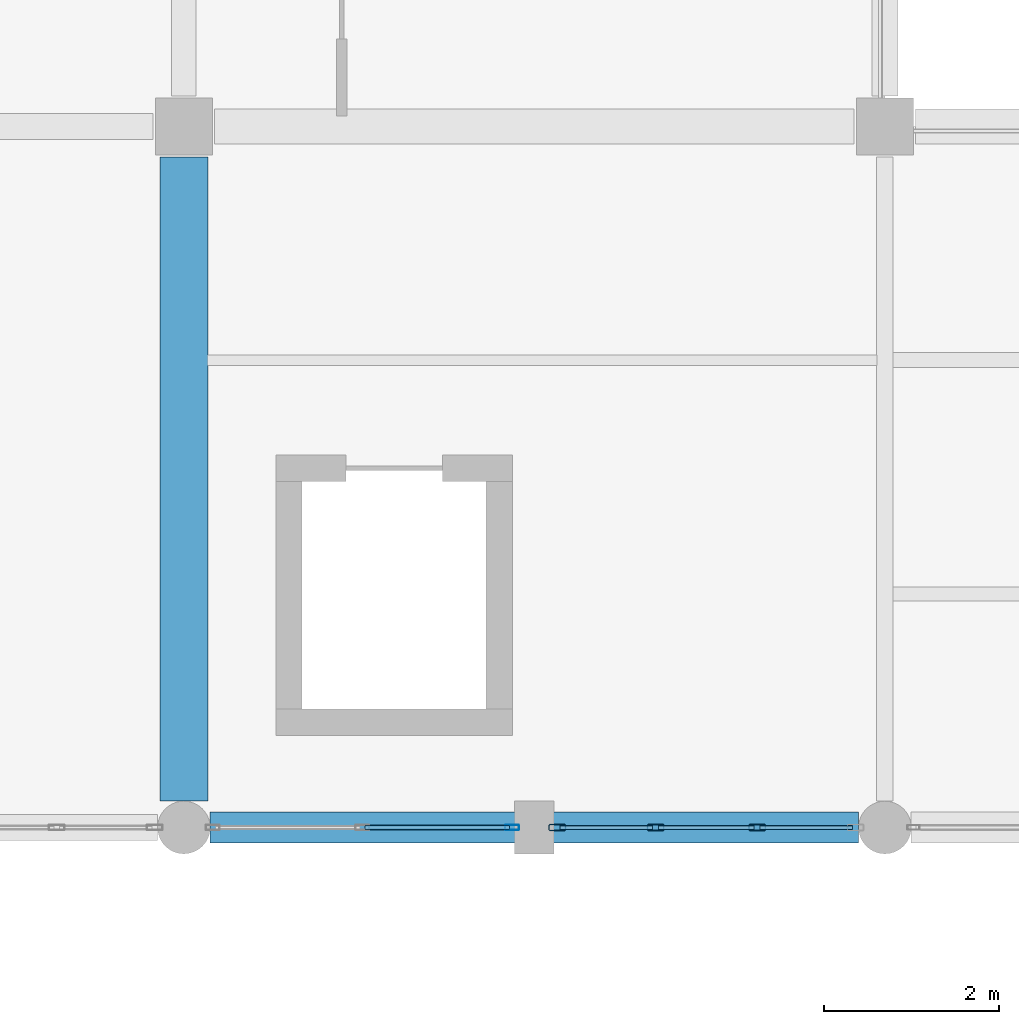
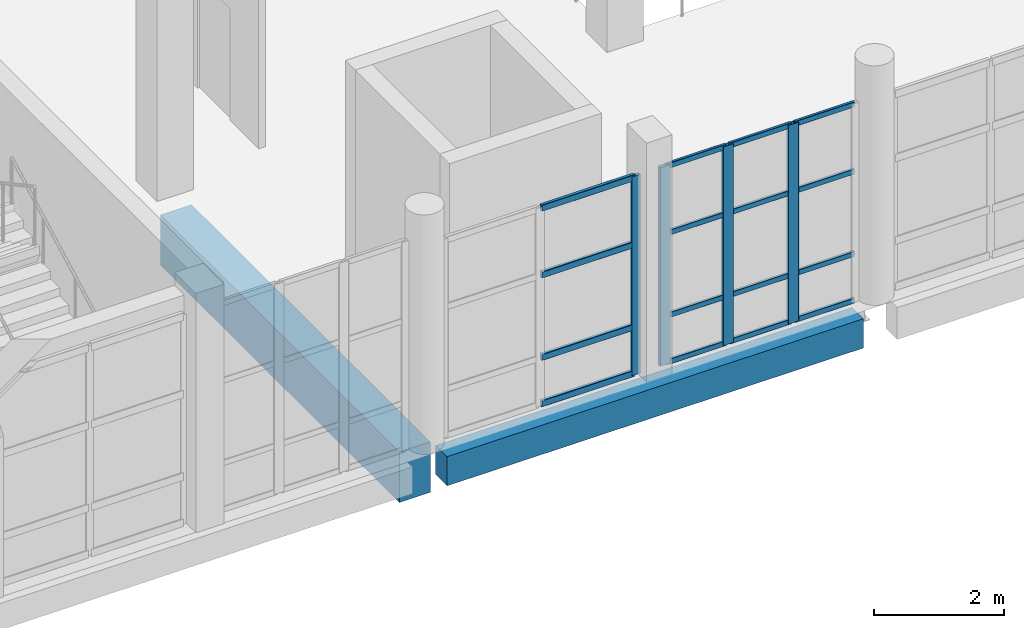
# One storey, part 13 of 183: 20 members, 2 beams, 2 elements without a shape of their own.
"""IFC4 building model written with IfcOpenShell, lengths in metres."""

from ifc_helpers import new_model, si_unit, direction, frame, origin, origin_2d, place, context, subcontext, project, spatial, rectangle, hollow_rectangle, extrude, material, material_profile, profile_set, type_object, element, aggregate, save


model = new_model("IFC4")

# Units and contexts
model_context = context("Model", 3, precision=1e-05, world=origin(), true_north=direction((0.0, 1.0)))
body_context = subcontext(model_context, "Body", "Model", "MODEL_VIEW")
ifc_project = project(units=[si_unit("LENGTHUNIT", "METRE"), si_unit("AREAUNIT", "SQUARE_METRE"), si_unit("VOLUMEUNIT", "CUBIC_METRE"), si_unit("PLANEANGLEUNIT", "RADIAN"), si_unit("MASSUNIT", "GRAM", prefix="KILO")], contexts=[model_context])

# Site, building, storey
site_placement = place(None, origin())
site = spatial("IfcSite", under=ifc_project, at=site_placement, CompositionType="ELEMENT")
building_placement = place(site_placement, origin())
building = spatial("IfcBuilding", under=site, at=building_placement, Name="Luwemba Playhouse", CompositionType="ELEMENT")
storey_placement = place(building_placement, frame((0.0, 0.0, 4.800048828125)))
storey = spatial("IfcBuildingStorey", under=building, at=storey_placement, Name="L01", CompositionType="ELEMENT", Elevation=4.800048828125)

# Beams
ifc_material_1 = material(Name="Concrete C40/50", Category="concrete")
ifc_material_profile_1 = material_profile(ifc_material_1, rectangle(XDim=0.550048828125, YDim=0.949951171875, at=origin_2d()))
ifc_profile_set_1 = profile_set([ifc_material_profile_1], Name="Concrete C40/50")
beam_type_1 = type_object("IfcBeamType", Name="BM-RB08", PredefinedType="BEAM", material=ifc_profile_set_1)
beam_1_placement = place(storey_placement, frame((12.0, 3.300048828125, -0.72509765625), z_axis=(0.0, 1.0, 0.0), x_axis=(-1.0, 0.0, 0.0)))
element("IfcBeam", 1, at=beam_1_placement, inside=storey, type_object=beam_type_1, Name="L01 transverse girder 0499", PredefinedType="BEAM", context=body_context, shape_type="SweptSolid", body=[
    extrude(rectangle(XDim=0.550048828125, YDim=0.949951171875, at=origin_2d()), origin(), (0.0, 0.0, 1.0), 7.349853515625),
])
ifc_material_profile_2 = material_profile(ifc_material_1, rectangle(XDim=0.35009765625, YDim=0.550048828125, at=origin_2d()))
ifc_profile_set_2 = profile_set([ifc_material_profile_2], Name="Concrete C40/50")
beam_type_2 = type_object("IfcBeamType", Name="BM-SP2", PredefinedType="SPANDREL", material=ifc_profile_set_2)
beam_2_placement = place(storey_placement, frame((12.300048828125, 3.0, -0.525146484375), z_axis=(1.0, 0.0, 0.0), x_axis=(0.0, 1.0, 0.0)))
element("IfcBeam", 2, at=beam_2_placement, inside=storey, type_object=beam_type_2, Name="L01 grid girder 0469", PredefinedType="SPANDREL", context=body_context, shape_type="SweptSolid", body=[
    extrude(rectangle(XDim=0.35009765625, YDim=0.550048828125, at=origin_2d()), origin(), (0.0, 0.0, 1.0), 7.39990234375),
])

# Curtain wall, member
ifc_material_2 = material(Name="Solar-control double glazing", Category="glass")
curtain_wall_type_1 = type_object("IfcCurtainWallType", Name="CW-CW95", PredefinedType="USERDEFINED", material=ifc_material_2)
curtain_wall_1_placement = place(storey_placement, origin())
curtain_wall_1 = element("IfcCurtainWall", 3, at=curtain_wall_1_placement, inside=storey, type_object=curtain_wall_type_1, Name="L01 V5W unitised curtain wall 150", ObjectType="UNITISED GLAZING", PredefinedType="USERDEFINED")
ifc_material_3 = material(Name="Aluminium 6063-T6", Category="aluminium")
ifc_material_profile_3 = material_profile(ifc_material_3, hollow_rectangle(XDim=0.06005859375, YDim=0.159912109375, WallThickness=0.00390625, InnerFilletRadius=0.006103515625, OuterFilletRadius=0.010009765625, at=origin_2d()))
ifc_profile_set_3 = profile_set([ifc_material_profile_3], Name="Aluminium 6063-T6")
member_type_1 = type_object("IfcMemberType", Name="CWM-M1", PredefinedType="MULLION", material=ifc_profile_set_3)
member_1_placement = place(storey_placement, frame((15.7451171875, 3.0, 0.0), z_axis=(0.0, 0.0, 1.0), x_axis=(0.0, -1.0, 0.0)))
member_1 = element("IfcMember", 4, at=member_1_placement, type_object=member_type_1, Name="CW95 mullion 1", PredefinedType="MULLION", context=body_context, shape_type="SweptSolid", body=[
    extrude(hollow_rectangle(XDim=0.06005859375, YDim=0.159912109375, WallThickness=0.00390625, InnerFilletRadius=0.006103515625, OuterFilletRadius=0.010009765625, at=origin_2d()), origin(), (0.0, 0.0, 1.0), 3.73486328125),
])

# Curtain wall, members
curtain_wall_type_2 = type_object("IfcCurtainWallType", Name="CW-CW113", PredefinedType="USERDEFINED", material=ifc_material_2)
curtain_wall_2_placement = place(storey_placement, origin())
curtain_wall_2 = element("IfcCurtainWall", 5, at=curtain_wall_2_placement, inside=storey, type_object=curtain_wall_type_2, Name="L01 V5W unitised curtain wall 149", ObjectType="UNITISED GLAZING", PredefinedType="USERDEFINED")
ifc_material_profile_4 = material_profile(ifc_material_3, hollow_rectangle(XDim=0.070068359375, YDim=0.18994140625, WallThickness=0.0048828125, InnerFilletRadius=0.007568359375, OuterFilletRadius=0.012451171875, at=origin_2d()))
ifc_profile_set_4 = profile_set([ifc_material_profile_4], Name="Aluminium 6063-T6")
member_type_2 = type_object("IfcMemberType", Name="CWM-M4", PredefinedType="MULLION", material=ifc_profile_set_4)
member_2_placement = place(storey_placement, frame((18.541748046875, 3.0, 0.0), z_axis=(0.0, 0.0, 1.0), x_axis=(0.0, -1.0, 0.0)))
member_2 = element("IfcMember", 6, at=member_2_placement, type_object=member_type_2, Name="CW113 mullion 2", PredefinedType="MULLION", context=body_context, shape_type="SweptSolid", body=[
    extrude(hollow_rectangle(XDim=0.070068359375, YDim=0.18994140625, WallThickness=0.0048828125, InnerFilletRadius=0.007568359375, OuterFilletRadius=0.012451171875, at=origin_2d()), origin(), (0.0, 0.0, 1.0), 3.73486328125),
])
member_3_placement = place(storey_placement, frame((17.38330078125, 3.0, 0.0), z_axis=(0.0, 0.0, 1.0), x_axis=(0.0, -1.0, 0.0)))
member_3 = element("IfcMember", 7, at=member_3_placement, type_object=member_type_2, Name="CW113 mullion 3", PredefinedType="MULLION", context=body_context, shape_type="SweptSolid", body=[
    extrude(hollow_rectangle(XDim=0.070068359375, YDim=0.18994140625, WallThickness=0.0048828125, InnerFilletRadius=0.007568359375, OuterFilletRadius=0.012451171875, at=origin_2d()), origin(), (0.0, 0.0, 1.0), 3.73486328125),
])
member_4_placement = place(storey_placement, frame((16.260009765625, 3.0, 0.0), z_axis=(0.0, 0.0, 1.0), x_axis=(0.0, -1.0, 0.0)))
member_4 = element("IfcMember", 8, at=member_4_placement, type_object=member_type_2, Name="CW113 mullion 4", PredefinedType="MULLION", context=body_context, shape_type="SweptSolid", body=[
    extrude(hollow_rectangle(XDim=0.070068359375, YDim=0.18994140625, WallThickness=0.0048828125, InnerFilletRadius=0.007568359375, OuterFilletRadius=0.012451171875, at=origin_2d()), origin(), (0.0, 0.0, 1.0), 3.73486328125),
])

# Member
ifc_material_profile_5 = material_profile(ifc_material_3, hollow_rectangle(XDim=0.06005859375, YDim=0.1201171875, WallThickness=0.00390625, InnerFilletRadius=0.006103515625, OuterFilletRadius=0.010009765625, at=origin_2d()))
ifc_profile_set_5 = profile_set([ifc_material_profile_5], Name="Aluminium 6063-T6")
member_type_3 = type_object("IfcMemberType", Name="CWT-T1", PredefinedType="USERDEFINED", material=ifc_profile_set_5)
member_5_placement = place(storey_placement, frame((15.715087890625, 3.0, 0.030029296875), z_axis=(-1.0, 0.0, 0.0), x_axis=(0.0, -1.0, 0.0)))
member_5 = element("IfcMember", 9, at=member_5_placement, type_object=member_type_3, Name="CW95 transom 1.1", ObjectType="TRANSOM", PredefinedType="USERDEFINED", context=body_context, shape_type="SweptSolid", body=[
    extrude(hollow_rectangle(XDim=0.06005859375, YDim=0.1201171875, WallThickness=0.00390625, InnerFilletRadius=0.006103515625, OuterFilletRadius=0.010009765625, at=origin_2d()), origin(), (0.0, 0.0, 1.0), 1.647705078125),
])

member_6_placement = place(storey_placement, frame((15.715087890625, 3.0, 0.89990234375), z_axis=(-1.0, 0.0, 0.0), x_axis=(0.0, -1.0, 0.0)))
member_6 = element("IfcMember", 10, at=member_6_placement, type_object=member_type_3, Name="CW95 transom 1.2", ObjectType="TRANSOM", PredefinedType="USERDEFINED", context=body_context, shape_type="SweptSolid", body=[
    extrude(hollow_rectangle(XDim=0.06005859375, YDim=0.1201171875, WallThickness=0.00390625, InnerFilletRadius=0.006103515625, OuterFilletRadius=0.010009765625, at=origin_2d()), origin(), (0.0, 0.0, 1.0), 1.647705078125),
])

member_7_placement = place(storey_placement, frame((15.715087890625, 3.0, 2.449951171875), z_axis=(-1.0, 0.0, 0.0), x_axis=(0.0, -1.0, 0.0)))
member_7 = element("IfcMember", 11, at=member_7_placement, type_object=member_type_3, Name="CW95 transom 1.3", ObjectType="TRANSOM", PredefinedType="USERDEFINED", context=body_context, shape_type="SweptSolid", body=[
    extrude(hollow_rectangle(XDim=0.06005859375, YDim=0.1201171875, WallThickness=0.00390625, InnerFilletRadius=0.006103515625, OuterFilletRadius=0.010009765625, at=origin_2d()), origin(), (0.0, 0.0, 1.0), 1.647705078125),
])

member_8_placement = place(storey_placement, frame((15.715087890625, 3.0, 3.704833984375), z_axis=(-1.0, 0.0, 0.0), x_axis=(0.0, -1.0, 0.0)))
member_8 = element("IfcMember", 12, at=member_8_placement, type_object=member_type_3, Name="CW95 transom 1.4", ObjectType="TRANSOM", PredefinedType="USERDEFINED", context=body_context, shape_type="SweptSolid", body=[
    extrude(hollow_rectangle(XDim=0.06005859375, YDim=0.1201171875, WallThickness=0.00390625, InnerFilletRadius=0.006103515625, OuterFilletRadius=0.010009765625, at=origin_2d()), origin(), (0.0, 0.0, 1.0), 1.647705078125),
])

aggregate(curtain_wall_1, [member_1, member_5, member_6, member_7, member_8])

ifc_material_profile_6 = material_profile(ifc_material_3, hollow_rectangle(XDim=0.050048828125, YDim=0.10009765625, WallThickness=0.00341796875, InnerFilletRadius=0.00537109375, OuterFilletRadius=0.0087890625, at=origin_2d()))
ifc_profile_set_6 = profile_set([ifc_material_profile_6], Name="Aluminium 6063-T6")
member_type_4 = type_object("IfcMemberType", Name="CWT-T4", PredefinedType="USERDEFINED", material=ifc_profile_set_6)
member_9_placement = place(storey_placement, frame((19.6298828125, 3.0, 0.02490234375), z_axis=(-1.0, 0.0, 0.0), x_axis=(0.0, -1.0, 0.0)))
member_9 = element("IfcMember", 13, at=member_9_placement, type_object=member_type_4, Name="CW113 transom 1.1", ObjectType="TRANSOM", PredefinedType="USERDEFINED", context=body_context, shape_type="SweptSolid", body=[
    extrude(hollow_rectangle(XDim=0.050048828125, YDim=0.10009765625, WallThickness=0.00341796875, InnerFilletRadius=0.00537109375, OuterFilletRadius=0.0087890625, at=origin_2d()), origin(), (0.0, 0.0, 1.0), 1.05322265625),
])

member_10_placement = place(storey_placement, frame((19.6298828125, 3.0, 0.89990234375), z_axis=(-1.0, 0.0, 0.0), x_axis=(0.0, -1.0, 0.0)))
member_10 = element("IfcMember", 14, at=member_10_placement, type_object=member_type_4, Name="CW113 transom 1.2", ObjectType="TRANSOM", PredefinedType="USERDEFINED", context=body_context, shape_type="SweptSolid", body=[
    extrude(hollow_rectangle(XDim=0.050048828125, YDim=0.10009765625, WallThickness=0.00341796875, InnerFilletRadius=0.00537109375, OuterFilletRadius=0.0087890625, at=origin_2d()), origin(), (0.0, 0.0, 1.0), 1.05322265625),
])

member_11_placement = place(storey_placement, frame((19.6298828125, 3.0, 2.449951171875), z_axis=(-1.0, 0.0, 0.0), x_axis=(0.0, -1.0, 0.0)))
member_11 = element("IfcMember", 15, at=member_11_placement, type_object=member_type_4, Name="CW113 transom 1.3", ObjectType="TRANSOM", PredefinedType="USERDEFINED", context=body_context, shape_type="SweptSolid", body=[
    extrude(hollow_rectangle(XDim=0.050048828125, YDim=0.10009765625, WallThickness=0.00341796875, InnerFilletRadius=0.00537109375, OuterFilletRadius=0.0087890625, at=origin_2d()), origin(), (0.0, 0.0, 1.0), 1.05322265625),
])

member_12_placement = place(storey_placement, frame((19.6298828125, 3.0, 3.7099609375), z_axis=(-1.0, 0.0, 0.0), x_axis=(0.0, -1.0, 0.0)))
member_12 = element("IfcMember", 16, at=member_12_placement, type_object=member_type_4, Name="CW113 transom 1.4", ObjectType="TRANSOM", PredefinedType="USERDEFINED", context=body_context, shape_type="SweptSolid", body=[
    extrude(hollow_rectangle(XDim=0.050048828125, YDim=0.10009765625, WallThickness=0.00341796875, InnerFilletRadius=0.00537109375, OuterFilletRadius=0.0087890625, at=origin_2d()), origin(), (0.0, 0.0, 1.0), 1.05322265625),
])

member_13_placement = place(storey_placement, frame((18.506591796875, 3.0, 0.02490234375), z_axis=(-1.0, 0.0, 0.0), x_axis=(0.0, -1.0, 0.0)))
member_13 = element("IfcMember", 17, at=member_13_placement, type_object=member_type_4, Name="CW113 transom 2.1", ObjectType="TRANSOM", PredefinedType="USERDEFINED", context=body_context, shape_type="SweptSolid", body=[
    extrude(hollow_rectangle(XDim=0.050048828125, YDim=0.10009765625, WallThickness=0.00341796875, InnerFilletRadius=0.00537109375, OuterFilletRadius=0.0087890625, at=origin_2d()), origin(), (0.0, 0.0, 1.0), 1.08837890625),
])

member_14_placement = place(storey_placement, frame((18.506591796875, 3.0, 0.89990234375), z_axis=(-1.0, 0.0, 0.0), x_axis=(0.0, -1.0, 0.0)))
member_14 = element("IfcMember", 18, at=member_14_placement, type_object=member_type_4, Name="CW113 transom 2.2", ObjectType="TRANSOM", PredefinedType="USERDEFINED", context=body_context, shape_type="SweptSolid", body=[
    extrude(hollow_rectangle(XDim=0.050048828125, YDim=0.10009765625, WallThickness=0.00341796875, InnerFilletRadius=0.00537109375, OuterFilletRadius=0.0087890625, at=origin_2d()), origin(), (0.0, 0.0, 1.0), 1.08837890625),
])

member_15_placement = place(storey_placement, frame((18.506591796875, 3.0, 2.449951171875), z_axis=(-1.0, 0.0, 0.0), x_axis=(0.0, -1.0, 0.0)))
member_15 = element("IfcMember", 19, at=member_15_placement, type_object=member_type_4, Name="CW113 transom 2.3", ObjectType="TRANSOM", PredefinedType="USERDEFINED", context=body_context, shape_type="SweptSolid", body=[
    extrude(hollow_rectangle(XDim=0.050048828125, YDim=0.10009765625, WallThickness=0.00341796875, InnerFilletRadius=0.00537109375, OuterFilletRadius=0.0087890625, at=origin_2d()), origin(), (0.0, 0.0, 1.0), 1.08837890625),
])

member_16_placement = place(storey_placement, frame((18.506591796875, 3.0, 3.7099609375), z_axis=(-1.0, 0.0, 0.0), x_axis=(0.0, -1.0, 0.0)))
member_16 = element("IfcMember", 20, at=member_16_placement, type_object=member_type_4, Name="CW113 transom 2.4", ObjectType="TRANSOM", PredefinedType="USERDEFINED", context=body_context, shape_type="SweptSolid", body=[
    extrude(hollow_rectangle(XDim=0.050048828125, YDim=0.10009765625, WallThickness=0.00341796875, InnerFilletRadius=0.00537109375, OuterFilletRadius=0.0087890625, at=origin_2d()), origin(), (0.0, 0.0, 1.0), 1.08837890625),
])

member_17_placement = place(storey_placement, frame((17.348388671875, 3.0, 0.02490234375), z_axis=(-1.0, 0.0, 0.0), x_axis=(0.0, -1.0, 0.0)))
member_17 = element("IfcMember", 21, at=member_17_placement, type_object=member_type_4, Name="CW113 transom 3.1", ObjectType="TRANSOM", PredefinedType="USERDEFINED", context=body_context, shape_type="SweptSolid", body=[
    extrude(hollow_rectangle(XDim=0.050048828125, YDim=0.10009765625, WallThickness=0.00341796875, InnerFilletRadius=0.00537109375, OuterFilletRadius=0.0087890625, at=origin_2d()), origin(), (0.0, 0.0, 1.0), 1.053466796875),
])

member_18_placement = place(storey_placement, frame((17.348388671875, 3.0, 0.89990234375), z_axis=(-1.0, 0.0, 0.0), x_axis=(0.0, -1.0, 0.0)))
member_18 = element("IfcMember", 22, at=member_18_placement, type_object=member_type_4, Name="CW113 transom 3.2", ObjectType="TRANSOM", PredefinedType="USERDEFINED", context=body_context, shape_type="SweptSolid", body=[
    extrude(hollow_rectangle(XDim=0.050048828125, YDim=0.10009765625, WallThickness=0.00341796875, InnerFilletRadius=0.00537109375, OuterFilletRadius=0.0087890625, at=origin_2d()), origin(), (0.0, 0.0, 1.0), 1.053466796875),
])

member_19_placement = place(storey_placement, frame((17.348388671875, 3.0, 2.449951171875), z_axis=(-1.0, 0.0, 0.0), x_axis=(0.0, -1.0, 0.0)))
member_19 = element("IfcMember", 23, at=member_19_placement, type_object=member_type_4, Name="CW113 transom 3.3", ObjectType="TRANSOM", PredefinedType="USERDEFINED", context=body_context, shape_type="SweptSolid", body=[
    extrude(hollow_rectangle(XDim=0.050048828125, YDim=0.10009765625, WallThickness=0.00341796875, InnerFilletRadius=0.00537109375, OuterFilletRadius=0.0087890625, at=origin_2d()), origin(), (0.0, 0.0, 1.0), 1.053466796875),
])

member_20_placement = place(storey_placement, frame((17.348388671875, 3.0, 3.7099609375), z_axis=(-1.0, 0.0, 0.0), x_axis=(0.0, -1.0, 0.0)))
member_20 = element("IfcMember", 24, at=member_20_placement, type_object=member_type_4, Name="CW113 transom 3.4", ObjectType="TRANSOM", PredefinedType="USERDEFINED", context=body_context, shape_type="SweptSolid", body=[
    extrude(hollow_rectangle(XDim=0.050048828125, YDim=0.10009765625, WallThickness=0.00341796875, InnerFilletRadius=0.00537109375, OuterFilletRadius=0.0087890625, at=origin_2d()), origin(), (0.0, 0.0, 1.0), 1.053466796875),
])

aggregate(curtain_wall_2, [member_2, member_3, member_4, member_9, member_10, member_11, member_12, member_13, member_14, member_15, member_16, member_17, member_18, member_19, member_20])

save(model, "model.ifc")
